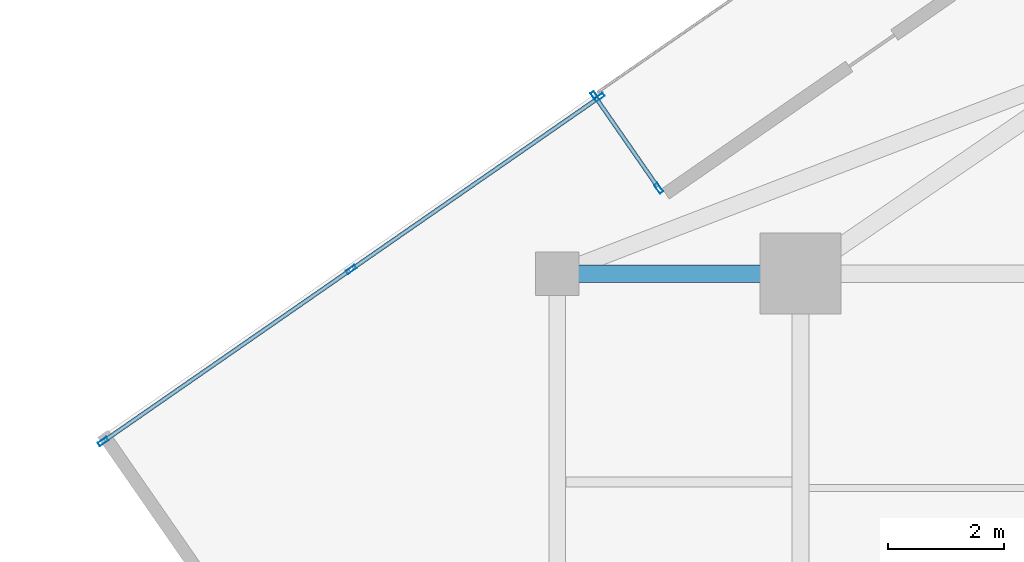
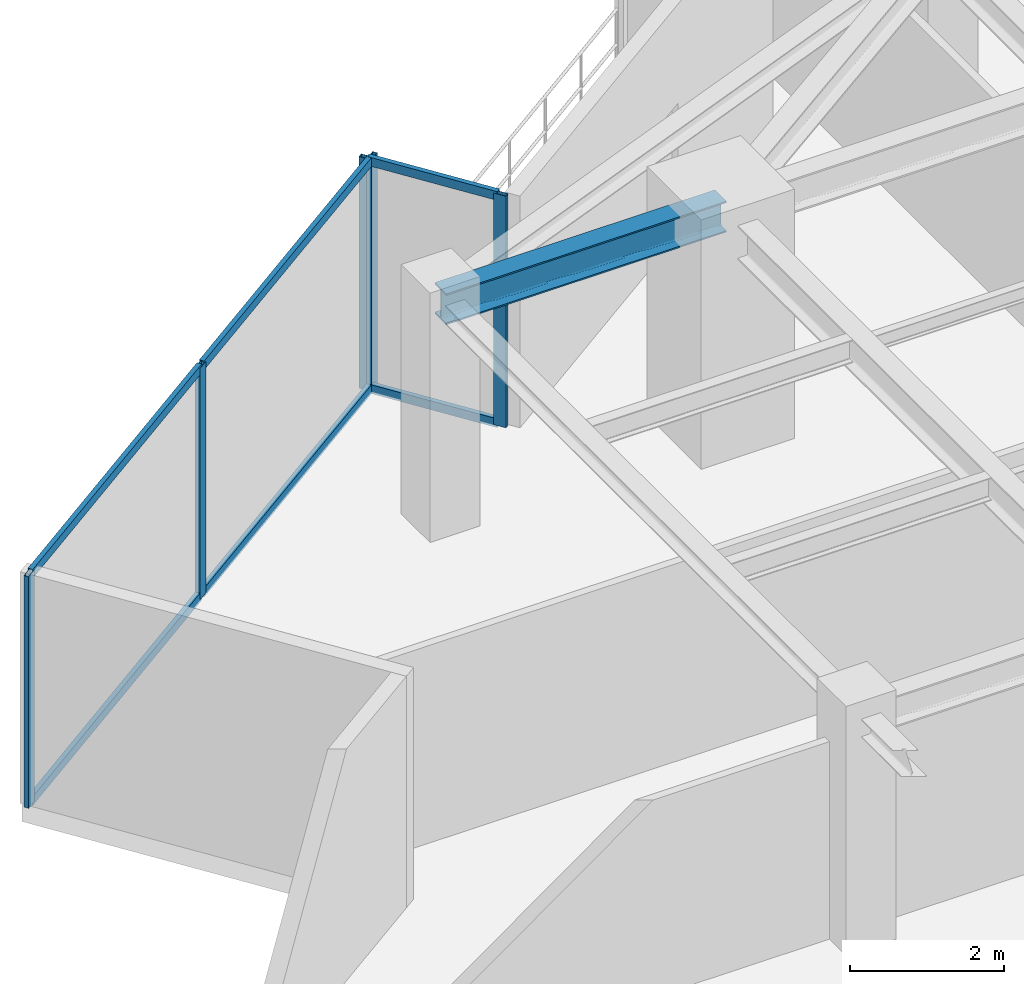
# One storey, part 12 of 21: 11 members, 1 beam, 2 elements without a shape of their own.
"""IFC4 building model written with IfcOpenShell, lengths in metres."""

from ifc_helpers import new_model, si_unit, direction, frame, origin, origin_2d, place, context, subcontext, project, spatial, hollow_rectangle, i_section, extrude, source, transform, mapped, material, material_profile, profile_set, type_object, type_shapes, element, aggregate, save


model = new_model("IFC4")

# Units and contexts
model_context = context("Model", 3, precision=1e-05, world=origin(), true_north=direction((0.0, 1.0)))
body_context = subcontext(model_context, "Body", "Model", "MODEL_VIEW")
ifc_project = project(units=[si_unit("LENGTHUNIT", "METRE"), si_unit("AREAUNIT", "SQUARE_METRE"), si_unit("VOLUMEUNIT", "CUBIC_METRE"), si_unit("PLANEANGLEUNIT", "RADIAN"), si_unit("MASSUNIT", "GRAM", prefix="KILO")], contexts=[model_context])

# Site, building, storey
site_placement = place(None, origin())
site = spatial("IfcSite", under=ifc_project, at=site_placement, CompositionType="ELEMENT")
building_placement = place(site_placement, origin())
building = spatial("IfcBuilding", under=site, at=building_placement, Name="Krantzveldt Concourse Tower", CompositionType="ELEMENT")
storey_placement = place(building_placement, frame((0.0, 0.0, 275.300048828125)))
storey = spatial("IfcBuildingStorey", under=building, at=storey_placement, Name="L67", CompositionType="ELEMENT", Elevation=275.300048828125)

# Beam
ifc_material_1 = material(Name="Steel S355JR", Category="steel")
ifc_material_profile_1 = material_profile(ifc_material_1, i_section(OverallWidth=0.300048828125, OverallDepth=0.489990234375, WebThickness=0.011962890625, FlangeThickness=0.02294921875, FilletRadius=0.027099609375, at=origin_2d()), Name="Steel S355JR", Category="steel")
ifc_profile_set_1 = profile_set([ifc_material_profile_1], Name="Steel S355JR - HEA 500")
beam_type = type_object("IfcBeamType", Name="BM-B-HEA500", PredefinedType="BEAM", material=ifc_profile_set_1)
shared_shape_1 = source(origin(), body_context, "Body", "SweptSolid", [
    extrude(i_section(OverallWidth=0.300048828125, OverallDepth=0.489990234375, WebThickness=0.011962890625, FlangeThickness=0.02294921875, FilletRadius=0.027099609375, at=origin_2d()), origin(), (0.0, 0.0, 1.0), 4.199951171875),
])
type_shapes(beam_type, [shared_shape_1])
beam_placement = place(storey_placement, frame((21.0, 37.5, 3.425048828125), z_axis=(1.0, 0.0, 0.0), x_axis=(0.0, 1.0, 0.0)))
element("IfcBeam", 1, at=beam_placement, inside=storey, type_object=beam_type, Name="L67 Tower Girder BR-RL3", PredefinedType="BEAM", context=body_context, shape_type="MappedRepresentation", body=[
    mapped(shared_shape_1, transform((0.0, 0.0, 0.0), x_axis=(1.0, 0.0, 0.0), y_axis=(0.0, 1.0, 0.0), z_axis=(0.0, 0.0, 1.0), scale=1.0)),
])

# Curtain wall, members
ifc_material_2 = material(Name="Anodised aluminium 6063-T6", Category="aluminium")
curtain_wall_type_1 = type_object("IfcCurtainWallType", Name="CW6", PredefinedType="USERDEFINED", material=ifc_material_2)
curtain_wall_1_placement = place(storey_placement, origin())
curtain_wall_1 = element("IfcCurtainWall", 2, at=curtain_wall_1_placement, inside=storey, type_object=curtain_wall_type_1, Name="CW-L67-TR04", ObjectType="UNITISED CURTAIN WALL", PredefinedType="USERDEFINED")
ifc_material_profile_2 = material_profile(ifc_material_2, hollow_rectangle(XDim=0.070068359375, YDim=0.179931640625, WallThickness=0.0048828125, at=origin_2d()), Name="Anodised aluminium 6063-T6", Category="aluminium")
ifc_profile_set_2 = profile_set([ifc_material_profile_2], Name="Anodised aluminium 6063-T6 - ALU-MULL 180x70x5")
member_type_1 = type_object("IfcMemberType", Name="CW-MUL-180", PredefinedType="MULLION", material=ifc_profile_set_2)
shared_shape_2 = source(origin(), body_context, "Body", "SweptSolid", [
    extrude(hollow_rectangle(XDim=0.070068359375, YDim=0.179931640625, WallThickness=0.0048828125, at=origin_2d()), origin(), (0.0, 0.0, 1.0), 3.669921875),
])
type_shapes(member_type_1, [shared_shape_2])
member_1_placement = place(storey_placement, frame((22.751953125, 38.972412109375, 0.0), z_axis=(0.0, 0.0, 1.0), x_axis=(-0.821647133805, -0.569996480262, 0.0)))
member_1 = element("IfcMember", 3, at=member_1_placement, type_object=member_type_1, Name="CW-TERR mullion 1", PredefinedType="MULLION", context=body_context, shape_type="MappedRepresentation", body=[
    mapped(shared_shape_2, transform((0.0, 0.0, 0.0), x_axis=(1.0, 0.0, 0.0), y_axis=(0.0, 1.0, 0.0), z_axis=(0.0, 0.0, 1.0), scale=1.0)),
])
member_2_placement = place(storey_placement, frame((21.65185546875, 40.558349609375, 0.0), z_axis=(0.0, 0.0, 1.0), x_axis=(-0.821647133805, -0.569996480262, 0.0)))
member_2 = element("IfcMember", 4, at=member_2_placement, type_object=member_type_1, Name="CW-TERR mullion 2", PredefinedType="MULLION", context=body_context, shape_type="MappedRepresentation", body=[
    mapped(shared_shape_2, transform((0.0, 0.0, 0.0), x_axis=(1.0, 0.0, 0.0), y_axis=(0.0, 1.0, 0.0), z_axis=(0.0, 0.0, 1.0), scale=1.0)),
])

curtain_wall_type_2 = type_object("IfcCurtainWallType", Name="CW4", PredefinedType="USERDEFINED", material=ifc_material_2)
curtain_wall_2_placement = place(storey_placement, origin())
curtain_wall_2 = element("IfcCurtainWall", 5, at=curtain_wall_2_placement, inside=storey, type_object=curtain_wall_type_2, Name="CW-L67-F05", ObjectType="UNITISED CURTAIN WALL", PredefinedType="USERDEFINED")
member_3_placement = place(storey_placement, frame((21.728271484375, 40.54443359375, 0.0), z_axis=(0.0, 0.0, 1.0), x_axis=(0.569996057376, -0.82164742717, 0.0)))
member_3 = element("IfcMember", 6, at=member_3_placement, type_object=member_type_1, Name="CW-Z56 mullion 1", PredefinedType="MULLION", context=body_context, shape_type="MappedRepresentation", body=[
    mapped(shared_shape_2, transform((0.0, 0.0, 0.0), x_axis=(1.0, 0.0, 0.0), y_axis=(0.0, 1.0, 0.0), z_axis=(0.0, 0.0, 1.0), scale=1.0)),
])
member_4_placement = place(storey_placement, frame((17.443359375, 37.57177734375, 0.0), z_axis=(0.0, 0.0, 1.0), x_axis=(0.569996057376, -0.82164742717, 0.0)))
member_4 = element("IfcMember", 7, at=member_4_placement, type_object=member_type_1, Name="CW-Z56 mullion 2", PredefinedType="MULLION", context=body_context, shape_type="MappedRepresentation", body=[
    mapped(shared_shape_2, transform((0.0, 0.0, 0.0), x_axis=(1.0, 0.0, 0.0), y_axis=(0.0, 1.0, 0.0), z_axis=(0.0, 0.0, 1.0), scale=1.0)),
])
member_5_placement = place(storey_placement, frame((13.158447265625, 34.599365234375, 0.0), z_axis=(0.0, 0.0, 1.0), x_axis=(0.569996057376, -0.82164742717, 0.0)))
member_5 = element("IfcMember", 8, at=member_5_placement, type_object=member_type_1, Name="CW-Z56 mullion 3", PredefinedType="MULLION", context=body_context, shape_type="MappedRepresentation", body=[
    mapped(shared_shape_2, transform((0.0, 0.0, 0.0), x_axis=(1.0, 0.0, 0.0), y_axis=(0.0, 1.0, 0.0), z_axis=(0.0, 0.0, 1.0), scale=1.0)),
])

# Member
ifc_material_profile_3 = material_profile(ifc_material_2, hollow_rectangle(XDim=0.070068359375, YDim=0.139892578125, WallThickness=0.0048828125, at=origin_2d()), Name="Anodised aluminium 6063-T6", Category="aluminium")
ifc_profile_set_3 = profile_set([ifc_material_profile_3], Name="Anodised aluminium 6063-T6 - ALU-TRAN 140x70x5")
member_type_2 = type_object("IfcMemberType", Name="CW-TRN-150", PredefinedType="USERDEFINED", material=ifc_profile_set_3)
shared_shape_3 = source(origin(), body_context, "Body", "SweptSolid", [
    extrude(hollow_rectangle(XDim=0.070068359375, YDim=0.139892578125, WallThickness=0.0048828125, at=origin_2d()), origin(), (0.0, 0.0, 1.0), 1.85986328125),
])
member_6_placement = place(storey_placement, frame((22.73193359375, 39.001220703125, 0.034912109375), z_axis=(-0.569933266544, 0.821690983087, 0.0), x_axis=(-0.821690983087, -0.569933266544, 0.0)))
member_6 = element("IfcMember", 9, at=member_6_placement, type_object=member_type_2, Name="CW-TERR transom 1.1", ObjectType="TRANSOM", PredefinedType="USERDEFINED", context=body_context, shape_type="MappedRepresentation", body=[
    mapped(shared_shape_3, transform((0.0, 0.0, 0.0), x_axis=(1.0, 0.0, 0.0), y_axis=(0.0, 1.0, 0.0), z_axis=(0.0, 0.0, 1.0), scale=1.0)),
])

member_7_placement = place(storey_placement, frame((22.73193359375, 39.001220703125, 3.635009765625), z_axis=(-0.569933266544, 0.821690983087, 0.0), x_axis=(-0.821690983087, -0.569933266544, 0.0)))
member_7 = element("IfcMember", 10, at=member_7_placement, type_object=member_type_2, Name="CW-TERR transom 1.2", ObjectType="TRANSOM", PredefinedType="USERDEFINED", context=body_context, shape_type="MappedRepresentation", body=[
    mapped(shared_shape_3, transform((0.0, 0.0, 0.0), x_axis=(1.0, 0.0, 0.0), y_axis=(0.0, 1.0, 0.0), z_axis=(0.0, 0.0, 1.0), scale=1.0)),
])

aggregate(curtain_wall_1, [member_1, member_2, member_6, member_7])

shared_shape_4 = source(origin(), body_context, "Body", "SweptSolid", [
    extrude(hollow_rectangle(XDim=0.070068359375, YDim=0.139892578125, WallThickness=0.0048828125, at=origin_2d()), origin(), (0.0, 0.0, 1.0), 5.14501953125),
])
type_shapes(member_type_2, [shared_shape_3, shared_shape_4])
member_8_placement = place(storey_placement, frame((21.69970703125, 40.5244140625, 0.034912109375), z_axis=(-0.821658863319, -0.569979571852, 0.0), x_axis=(0.569979571852, -0.821658863319, 0.0)))
member_8 = element("IfcMember", 11, at=member_8_placement, type_object=member_type_2, Name="CW-Z56 transom 1.1", ObjectType="TRANSOM", PredefinedType="USERDEFINED", context=body_context, shape_type="MappedRepresentation", body=[
    mapped(shared_shape_4, transform((0.0, 0.0, 0.0), x_axis=(1.0, 0.0, 0.0), y_axis=(0.0, 1.0, 0.0), z_axis=(0.0, 0.0, 1.0), scale=1.0)),
])

member_9_placement = place(storey_placement, frame((21.69970703125, 40.5244140625, 3.635009765625), z_axis=(-0.821658863319, -0.569979571852, 0.0), x_axis=(0.569979571852, -0.821658863319, 0.0)))
member_9 = element("IfcMember", 12, at=member_9_placement, type_object=member_type_2, Name="CW-Z56 transom 1.2", ObjectType="TRANSOM", PredefinedType="USERDEFINED", context=body_context, shape_type="MappedRepresentation", body=[
    mapped(shared_shape_4, transform((0.0, 0.0, 0.0), x_axis=(1.0, 0.0, 0.0), y_axis=(0.0, 1.0, 0.0), z_axis=(0.0, 0.0, 1.0), scale=1.0)),
])

member_10_placement = place(storey_placement, frame((17.414794921875, 37.552001953125, 0.034912109375), z_axis=(-0.821658863319, -0.569979571852, 0.0), x_axis=(0.569979571852, -0.821658863319, 0.0)))
member_10 = element("IfcMember", 13, at=member_10_placement, type_object=member_type_2, Name="CW-Z56 transom 2.1", ObjectType="TRANSOM", PredefinedType="USERDEFINED", context=body_context, shape_type="MappedRepresentation", body=[
    mapped(shared_shape_4, transform((0.0, 0.0, 0.0), x_axis=(1.0, 0.0, 0.0), y_axis=(0.0, 1.0, 0.0), z_axis=(0.0, 0.0, 1.0), scale=1.0)),
])

member_11_placement = place(storey_placement, frame((17.414794921875, 37.552001953125, 3.635009765625), z_axis=(-0.821658863319, -0.569979571852, 0.0), x_axis=(0.569979571852, -0.821658863319, 0.0)))
member_11 = element("IfcMember", 14, at=member_11_placement, type_object=member_type_2, Name="CW-Z56 transom 2.2", ObjectType="TRANSOM", PredefinedType="USERDEFINED", context=body_context, shape_type="MappedRepresentation", body=[
    mapped(shared_shape_4, transform((0.0, 0.0, 0.0), x_axis=(1.0, 0.0, 0.0), y_axis=(0.0, 1.0, 0.0), z_axis=(0.0, 0.0, 1.0), scale=1.0)),
])

aggregate(curtain_wall_2, [member_3, member_4, member_5, member_8, member_9, member_10, member_11])

save(model, "model.ifc")
